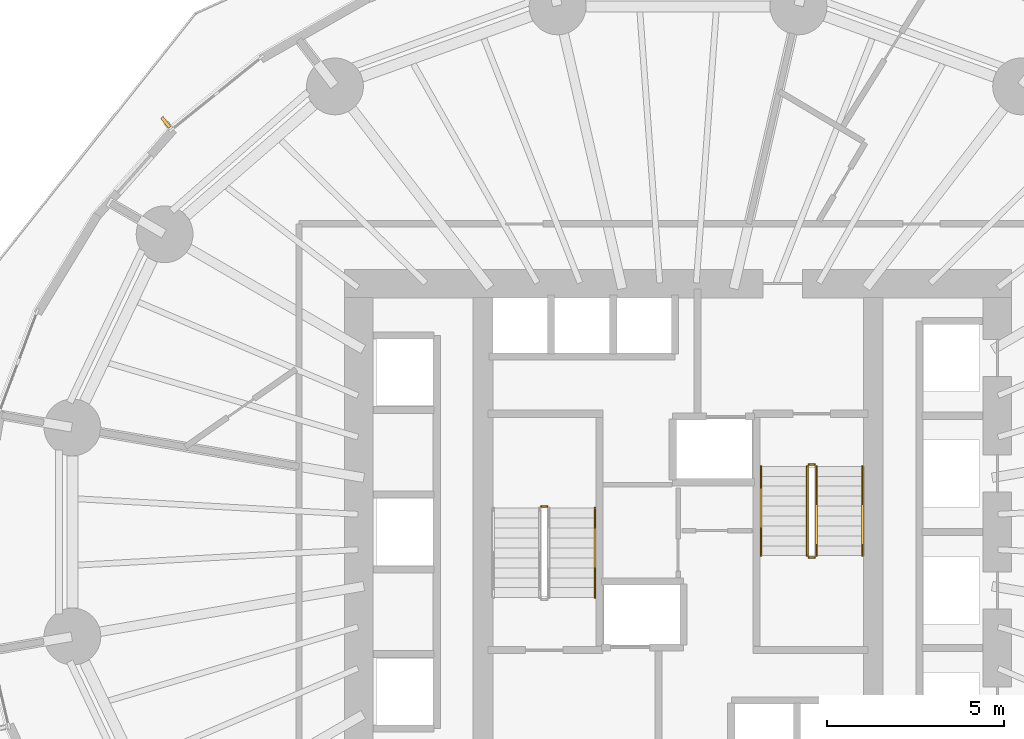
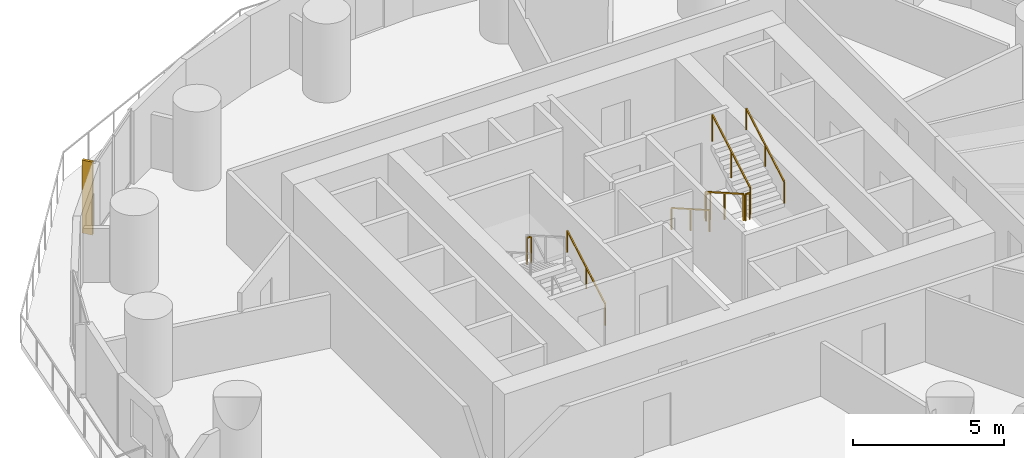
# One storey, part 13 of 14: 8 railings, 1 shading device.
"""IFC4 building model written with IfcOpenShell, lengths in metres."""

from ifc_helpers import new_model, si_unit, direction, frame, origin, origin_2d, place, context, subcontext, project, spatial, rectangle, extrude, material, layer, layer_set, type_object, element, save


model = new_model("IFC4")

# Units and contexts
model_context = context("Model", 3, precision=1e-05, world=origin(), true_north=direction((0.0, 1.0)))
body_context = subcontext(model_context, "Body", "Model", "MODEL_VIEW")
ifc_project = project(units=[si_unit("LENGTHUNIT", "METRE"), si_unit("AREAUNIT", "SQUARE_METRE"), si_unit("VOLUMEUNIT", "CUBIC_METRE"), si_unit("PLANEANGLEUNIT", "RADIAN"), si_unit("MASSUNIT", "GRAM", prefix="KILO")], contexts=[model_context])

# Site, building, storey
site_placement = place(None, origin())
site = spatial("IfcSite", under=ifc_project, at=site_placement, CompositionType="ELEMENT")
building_placement = place(site_placement, origin())
building = spatial("IfcBuilding", under=site, at=building_placement, Name="Veldorim Arch Residences", CompositionType="ELEMENT")
storey_placement = place(building_placement, frame((0.0, 0.0, 37.60009765625)))
storey = spatial("IfcBuildingStorey", under=building, at=storey_placement, Name="L10", CompositionType="ELEMENT", Elevation=37.60009765625)

# Railings
ifc_material_1 = material(Name="Steel S355", Category="steel")
railing_type_1 = type_object("IfcRailingType", Name="Galvanised Steel Stair Safety Guardrail 1100", PredefinedType="GUARDRAIL", material=ifc_material_1)
railing_1_placement = place(storey_placement, frame((28.31005859375, 24.719970703125, 1.599853515625)))
element("IfcRailing", 1, at=railing_1_placement, inside=storey, type_object=railing_type_1, Name="L10 ST-1 stair guard 2", PredefinedType="GUARDRAIL", context=body_context, shape_type="SweptSolid", body=[
    extrude(rectangle(XDim=0.048095703125, YDim=0.048095703125, at=origin_2d()), frame((0.0, 0.0, 1.076171875), z_axis=(-1.0, 0.0, 0.0), x_axis=(0.0, -1.0, 0.0)), (0.0, 0.0, 1.0), 0.16015625),
    extrude(rectangle(XDim=0.0419921875, YDim=0.0419921875, at=origin_2d()), origin(), (0.0, 0.0, 1.0), 1.052001953125),
    extrude(rectangle(XDim=0.0419921875, YDim=0.0419921875, at=origin_2d()), frame((-0.16015625, 0.0, 0.0)), (0.0, 0.0, 1.0), 1.052001953125),
])
railing_2_placement = place(storey_placement, frame((35.639892578125, 25.85009765625, 0.159912109375)))
element("IfcRailing", 2, at=railing_2_placement, inside=storey, type_object=railing_type_1, Name="L10 ST-2 stair guard 1", PredefinedType="GUARDRAIL", context=body_context, shape_type="SweptSolid", body=[
    extrude(rectangle(XDim=0.048095703125, YDim=0.048095703125, at=origin_2d()), frame((0.0, 0.0, 1.076171875), z_axis=(0.0, -0.868253494771, 0.496120820787), x_axis=(1.0, 0.0, 0.0)), (0.0, 0.0, 1.0), 2.90234375),
    extrude(rectangle(XDim=0.0419921875, YDim=0.0419921875, at=origin_2d()), origin(), (0.0, 0.0, 1.0), 1.052001953125),
    extrude(rectangle(XDim=0.0419921875, YDim=0.0419921875, at=origin_2d()), frame((0.0, -1.260009765625, 0.719970703125)), (0.0, 0.0, 1.0), 1.052001953125),
    extrude(rectangle(XDim=0.0419921875, YDim=0.0419921875, at=origin_2d()), frame((0.0, -2.52001953125, 1.43994140625)), (0.0, 0.0, 1.0), 1.052001953125),
])
railing_3_placement = place(storey_placement, frame((35.68994140625, 23.280029296875, 1.599853515625)))
element("IfcRailing", 3, at=railing_3_placement, inside=storey, type_object=railing_type_1, Name="L10 ST-2 stair guard 2", PredefinedType="GUARDRAIL", context=body_context, shape_type="SweptSolid", body=[
    extrude(rectangle(XDim=0.048095703125, YDim=0.048095703125, at=origin_2d()), frame((0.0, 0.0, 1.076171875), z_axis=(1.0, 0.0, 0.0), x_axis=(0.0, 1.0, 0.0)), (0.0, 0.0, 1.0), 0.16015625),
    extrude(rectangle(XDim=0.0419921875, YDim=0.0419921875, at=origin_2d()), origin(), (0.0, 0.0, 1.0), 1.052001953125),
    extrude(rectangle(XDim=0.0419921875, YDim=0.0419921875, at=origin_2d()), frame((0.16015625, 0.0, 0.0)), (0.0, 0.0, 1.0), 1.052001953125),
])
railing_4_placement = place(storey_placement, frame((35.89990234375, 23.330078125, 1.760009765625)))
element("IfcRailing", 4, at=railing_4_placement, inside=storey, type_object=railing_type_1, Name="L10 ST-2 stair guard 3", PredefinedType="GUARDRAIL", context=body_context, shape_type="SweptSolid", body=[
    extrude(rectangle(XDim=0.048095703125, YDim=0.048095703125, at=origin_2d()), frame((0.0, 0.0, 1.076171875), z_axis=(0.0, 0.868253494771, 0.496120820787), x_axis=(-1.0, 0.0, 0.0)), (0.0, 0.0, 1.0), 2.90234375),
    extrude(rectangle(XDim=0.0419921875, YDim=0.0419921875, at=origin_2d()), origin(), (0.0, 0.0, 1.0), 1.052001953125),
    extrude(rectangle(XDim=0.0419921875, YDim=0.0419921875, at=origin_2d()), frame((0.0, 1.260009765625, 0.719970703125)), (0.0, 0.0, 1.0), 1.052001953125),
    extrude(rectangle(XDim=0.0419921875, YDim=0.0419921875, at=origin_2d()), frame((0.0, 2.52001953125, 1.43994140625)), (0.0, 0.0, 1.0), 1.052001953125),
])
railing_5_placement = place(storey_placement, frame((35.68994140625, 25.89990234375, 0.0)))
element("IfcRailing", 5, at=railing_5_placement, inside=storey, type_object=railing_type_1, Name="L10 ST-2 stair guard 4", PredefinedType="GUARDRAIL", context=body_context, shape_type="SweptSolid", body=[
    extrude(rectangle(XDim=0.048095703125, YDim=0.048095703125, at=origin_2d()), frame((0.0, 0.0, 1.076171875), z_axis=(1.0, 0.0, 0.0), x_axis=(0.0, 1.0, 0.0)), (0.0, 0.0, 1.0), 0.16015625),
    extrude(rectangle(XDim=0.0419921875, YDim=0.0419921875, at=origin_2d()), origin(), (0.0, 0.0, 1.0), 1.052001953125),
    extrude(rectangle(XDim=0.0419921875, YDim=0.0419921875, at=origin_2d()), frame((0.16015625, 0.0, 0.0)), (0.0, 0.0, 1.0), 1.052001953125),
])
ifc_material_2 = material(Name="Stainless Steel", Category="steel")
railing_type_2 = type_object("IfcRailingType", Name="Tubular Steel Continuous Wall Handrail 900", PredefinedType="HANDRAIL", material=ifc_material_2)
railing_6_placement = place(storey_placement, frame((29.659912109375, 22.14990234375, 0.159912109375)))
element("IfcRailing", 6, at=railing_6_placement, inside=storey, type_object=railing_type_2, Name="L10 ST-1 stair handrail 1", PredefinedType="HANDRAIL", context=body_context, shape_type="SweptSolid", body=[
    extrude(rectangle(XDim=0.048095703125, YDim=0.048095703125, at=origin_2d()), frame((0.0, 0.0, 0.8759765625), z_axis=(0.0, 0.868253494771, 0.496120820787), x_axis=(-1.0, 0.0, 0.0)), (0.0, 0.0, 1.0), 2.90234375),
    extrude(rectangle(XDim=0.0419921875, YDim=0.0419921875, at=origin_2d()), origin(), (0.0, 0.0, 1.0), 0.851806640625),
    extrude(rectangle(XDim=0.0419921875, YDim=0.0419921875, at=origin_2d()), frame((0.0, 1.260009765625, 0.719970703125)), (0.0, 0.0, 1.0), 0.851806640625),
    extrude(rectangle(XDim=0.0419921875, YDim=0.0419921875, at=origin_2d()), frame((0.0, 2.52001953125, 1.43994140625)), (0.0, 0.0, 1.0), 0.851806640625),
])
railing_7_placement = place(storey_placement, frame((34.340087890625, 25.85009765625, 0.159912109375)))
element("IfcRailing", 7, at=railing_7_placement, inside=storey, type_object=railing_type_2, Name="L10 ST-2 stair handrail 1", PredefinedType="HANDRAIL", context=body_context, shape_type="SweptSolid", body=[
    extrude(rectangle(XDim=0.048095703125, YDim=0.048095703125, at=origin_2d()), frame((0.0, 0.0, 0.8759765625), z_axis=(0.0, -0.868253494771, 0.496120820787), x_axis=(1.0, 0.0, 0.0)), (0.0, 0.0, 1.0), 2.90234375),
    extrude(rectangle(XDim=0.0419921875, YDim=0.0419921875, at=origin_2d()), origin(), (0.0, 0.0, 1.0), 0.851806640625),
    extrude(rectangle(XDim=0.0419921875, YDim=0.0419921875, at=origin_2d()), frame((0.0, -1.260009765625, 0.719970703125)), (0.0, 0.0, 1.0), 0.851806640625),
    extrude(rectangle(XDim=0.0419921875, YDim=0.0419921875, at=origin_2d()), frame((0.0, -2.52001953125, 1.43994140625)), (0.0, 0.0, 1.0), 0.851806640625),
])
railing_8_placement = place(storey_placement, frame((37.199951171875, 23.330078125, 1.760009765625)))
element("IfcRailing", 8, at=railing_8_placement, inside=storey, type_object=railing_type_2, Name="L10 ST-2 stair handrail 2", PredefinedType="HANDRAIL", context=body_context, shape_type="SweptSolid", body=[
    extrude(rectangle(XDim=0.048095703125, YDim=0.048095703125, at=origin_2d()), frame((0.0, 0.0, 0.8759765625), z_axis=(0.0, 0.868253494771, 0.496120820787), x_axis=(-1.0, 0.0, 0.0)), (0.0, 0.0, 1.0), 2.90234375),
    extrude(rectangle(XDim=0.0419921875, YDim=0.0419921875, at=origin_2d()), origin(), (0.0, 0.0, 1.0), 0.851806640625),
    extrude(rectangle(XDim=0.0419921875, YDim=0.0419921875, at=origin_2d()), frame((0.0, 1.260009765625, 0.719970703125)), (0.0, 0.0, 1.0), 0.851806640625),
    extrude(rectangle(XDim=0.0419921875, YDim=0.0419921875, at=origin_2d()), frame((0.0, 2.52001953125, 1.43994140625)), (0.0, 0.0, 1.0), 0.851806640625),
])

# Shading device
ifc_material_3 = material(Name="Terracotta Ceramic", Category="masonry")
ifc_layer = layer(ifc_material_3, 0.090087890625, Name="Vertical Extruded Terracotta Baguette Sun-Shading Fin")
ifc_layer_set = layer_set([ifc_layer], Name="Terracotta Ceramic")
shading_device_type = type_object("IfcShadingDeviceType", Name="Vertical Extruded Terracotta Baguette Sun-Shading Fin", PredefinedType="USERDEFINED", material=ifc_layer_set)
shading_device_placement = place(storey_placement, frame((17.56689453125, 35.541748046875, 0.0), z_axis=(0.0, 0.0, 1.0), x_axis=(0.778571842519, 0.627555484428, 0.0)))
element("IfcShadingDevice", 9, at=shading_device_placement, inside=storey, type_object=shading_device_type, Name="L10 vertical terracotta sun-shading fin 13", ObjectType="FIN", PredefinedType="USERDEFINED", context=body_context, shape_type="SweptSolid", body=[
    extrude(rectangle(XDim=0.090087890625, YDim=0.360107421875, at=origin_2d()), origin(), (0.0, 0.0, 1.0), 2.9599609375),
])

save(model, "model.ifc")
